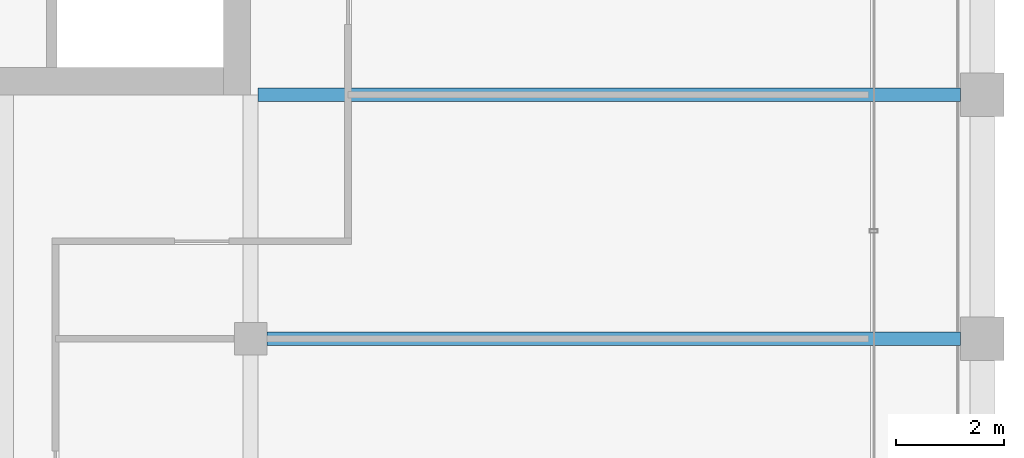
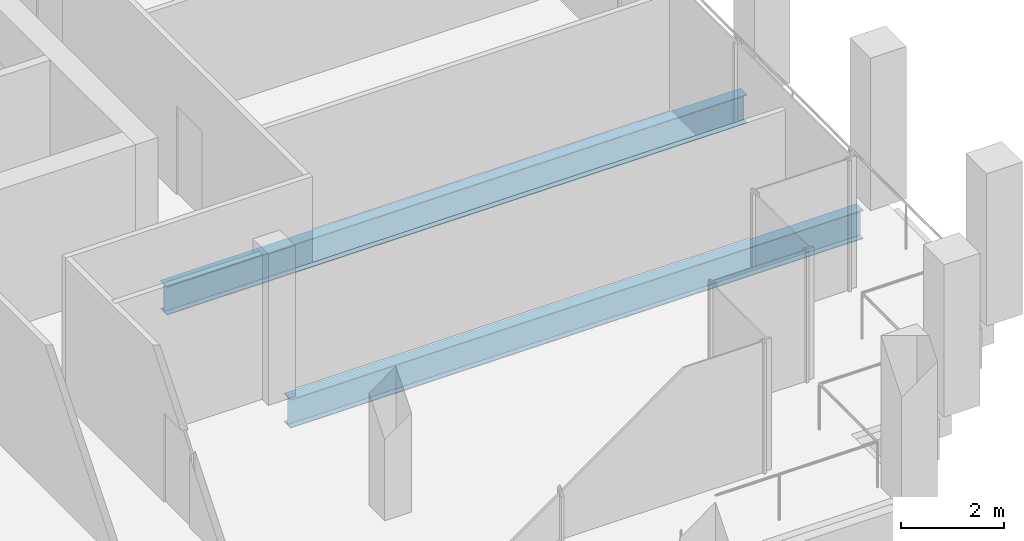
# One storey, part 14 of 30: 2 beams.
"""IFC4 building model written with IfcOpenShell, lengths in metres."""

from ifc_helpers import new_model, si_unit, direction, frame, origin, origin_2d, place, context, subcontext, project, spatial, i_section, extrude, material, material_profile, profile_set, type_object, element, save


model = new_model("IFC4")

# Units and contexts
model_context = context("Model", 3, precision=1e-05, world=origin(), true_north=direction((0.0, 1.0)))
body_context = subcontext(model_context, "Body", "Model", "MODEL_VIEW")
ifc_project = project(units=[si_unit("LENGTHUNIT", "METRE"), si_unit("AREAUNIT", "SQUARE_METRE"), si_unit("VOLUMEUNIT", "CUBIC_METRE"), si_unit("PLANEANGLEUNIT", "RADIAN"), si_unit("MASSUNIT", "GRAM", prefix="KILO")], contexts=[model_context])

# Site, building, storey
site_placement = place(None, origin())
site = spatial("IfcSite", under=ifc_project, at=site_placement, CompositionType="ELEMENT")
building_placement = place(site_placement, origin())
building = spatial("IfcBuilding", under=site, at=building_placement, Name="Altepetl Exchange Towers", CompositionType="ELEMENT")
storey_placement = place(building_placement, frame((0.0, 0.0, 213.60009765625)))
storey = spatial("IfcBuildingStorey", under=building, at=storey_placement, Name="L54", CompositionType="ELEMENT", Elevation=213.60009765625)

# Beams
ifc_material = material(Name="Steel S355", Category="steel")
ifc_material_profile = material_profile(ifc_material, i_section(OverallWidth=0.2529296875, OverallDepth=0.677978515625, WebThickness=0.01171875, FlangeThickness=0.016357421875, at=origin_2d()), Name="W27X84")
ifc_profile_set = profile_set([ifc_material_profile], Name="Steel S355")
beam_type = type_object("IfcBeamType", Name="Floor beam W27X84", PredefinedType="BEAM", material=ifc_profile_set)
beam_1_placement = place(storey_placement, frame((58.800048828125, 36.0, -0.489013671875), z_axis=(1.0, 0.0, 0.0), x_axis=(0.0, 1.0, 0.0)))
element("IfcBeam", 1, at=beam_1_placement, inside=storey, type_object=beam_type, Name="bm:A:L54:007", PredefinedType="BEAM", context=body_context, shape_type="SweptSolid", body=[
    extrude(i_section(OverallWidth=0.2529296875, OverallDepth=0.677978515625, WebThickness=0.01171875, FlangeThickness=0.016357421875, at=origin_2d()), origin(), (0.0, 0.0, 1.0), 12.800048828125),
])
beam_2_placement = place(storey_placement, frame((58.634033203125, 40.5, -0.489013671875), z_axis=(1.0, 0.0, 0.0), x_axis=(0.0, 1.0, 0.0)))
element("IfcBeam", 2, at=beam_2_placement, inside=storey, type_object=beam_type, Name="bm:A:L54:008", PredefinedType="BEAM", context=body_context, shape_type="SweptSolid", body=[
    extrude(i_section(OverallWidth=0.2529296875, OverallDepth=0.677978515625, WebThickness=0.01171875, FlangeThickness=0.016357421875, at=origin_2d()), origin(), (0.0, 0.0, 1.0), 12.966064453125),
])

save(model, "model.ifc")
